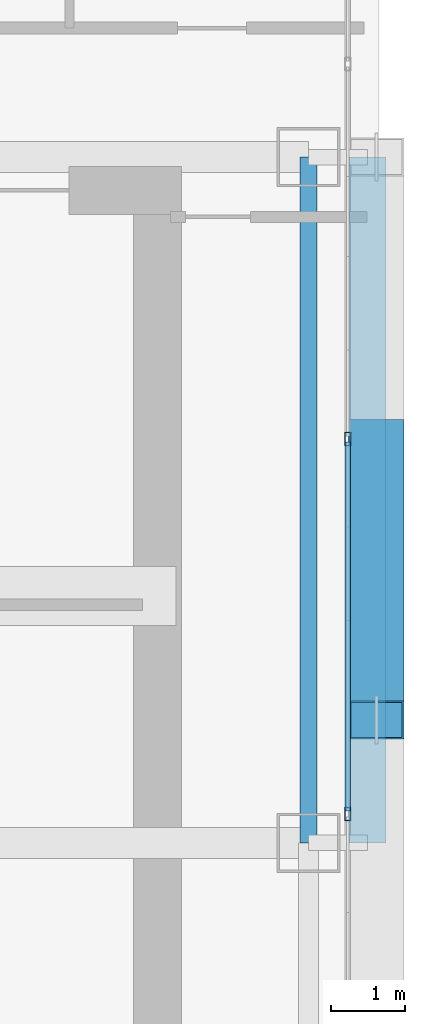
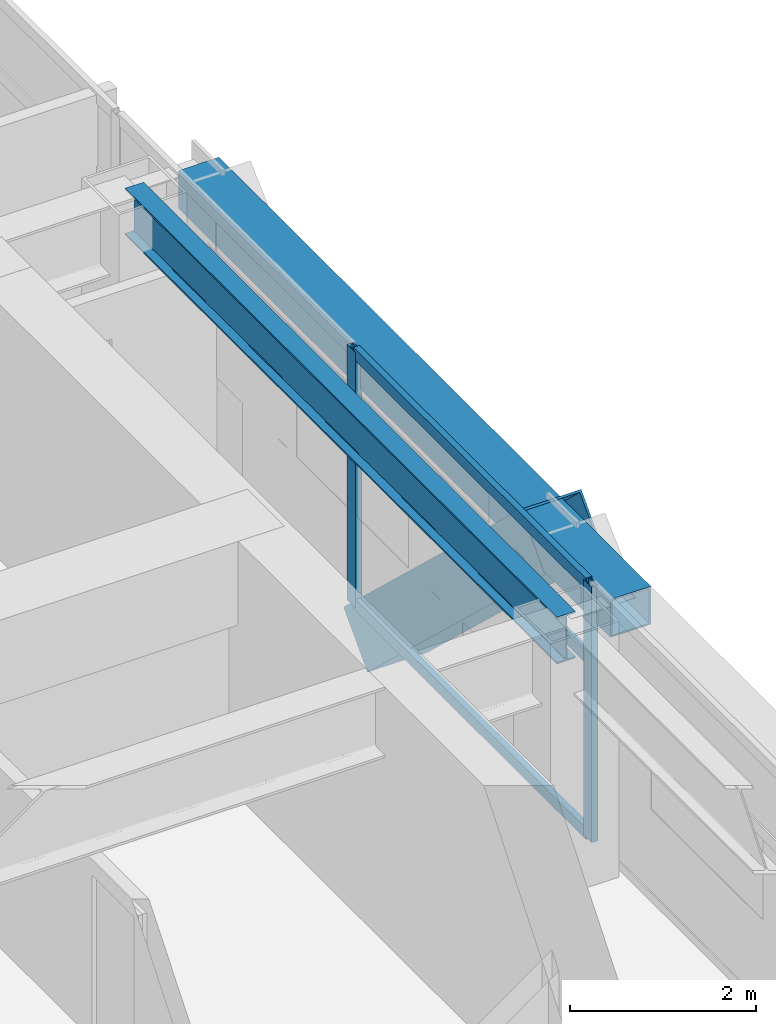
# One storey, part 15 of 35: 6 members, 2 beams, 1 element without a shape of its own.
"""IFC4 building model written with IfcOpenShell, lengths in metres."""

from ifc_helpers import new_model, si_unit, direction, frame, origin, origin_2d, place, context, subcontext, project, spatial, hollow_rectangle, i_section, extrude, source, transform, mapped, material, layer, layer_set, material_profile, profile_set, type_object, element, aggregate, save


model = new_model("IFC4")

# Units and contexts
model_context = context("Model", 3, precision=1e-05, world=origin(), true_north=direction((0.0, 1.0)))
body_context = subcontext(model_context, "Body", "Model", "MODEL_VIEW")
ifc_project = project(units=[si_unit("LENGTHUNIT", "METRE"), si_unit("AREAUNIT", "SQUARE_METRE"), si_unit("VOLUMEUNIT", "CUBIC_METRE"), si_unit("PLANEANGLEUNIT", "RADIAN"), si_unit("MASSUNIT", "GRAM", prefix="KILO")], contexts=[model_context])

# Site, building, storey
site_placement = place(None, origin())
site = spatial("IfcSite", under=ifc_project, at=site_placement, CompositionType="ELEMENT")
building_placement = place(site_placement, origin())
building = spatial("IfcBuilding", under=site, at=building_placement, Name="Ocotamira Hotel", CompositionType="ELEMENT")
storey_placement = place(building_placement, frame((0.0, 0.0, 144.0)))
storey = spatial("IfcBuildingStorey", under=building, at=storey_placement, Name="L36", CompositionType="ELEMENT", Elevation=144.0)

# Beams
ifc_material_1 = material(Name="Steel ASTM A992 Grade 50", Category="steel")
ifc_material_profile_1 = material_profile(ifc_material_1, i_section(OverallWidth=0.22998046875, OverallDepth=0.616943359375, WebThickness=0.01318359375, FlangeThickness=0.022216796875, FilletRadius=0.012939453125, at=origin_2d()), Name="W24X94")
ifc_profile_set_1 = profile_set([ifc_material_profile_1], Name="Steel ASTM A992 Grade 50")
beam_type_1 = type_object("IfcBeamType", Name="BM-PRIM-W24X94", PredefinedType="BEAM", material=ifc_profile_set_1)
shared_shape_1 = source(origin(), body_context, "Body", "SweptSolid", [
    extrude(i_section(OverallWidth=0.22998046875, OverallDepth=0.616943359375, WebThickness=0.01318359375, FlangeThickness=0.022216796875, FilletRadius=0.012939453125, at=origin_2d()), origin(), (0.0, 0.0, 1.0), 9.300048828125),
])
beam_1_placement = place(storey_placement, frame((55.050048828125, 28.14990234375, 3.051513671875), z_axis=(0.0, 1.0, 0.0), x_axis=(-1.0, 0.0, 0.0)))
element("IfcBeam", 1, at=beam_1_placement, inside=storey, type_object=beam_type_1, Name="L36 Beam X55.05 Y28.15-37.45", PredefinedType="BEAM", context=body_context, shape_type="MappedRepresentation", body=[
    mapped(shared_shape_1, transform((0.0, 0.0, 0.0), scale=1.0)),
])
ifc_material_2 = material(Name="Steel ASTM A500 Grade C", Category="steel")
ifc_material_profile_2 = material_profile(ifc_material_2, hollow_rectangle(XDim=0.5, YDim=0.5, WallThickness=0.02001953125, at=origin_2d()), Name="HSS500X500X20")
ifc_profile_set_2 = profile_set([ifc_material_profile_2], Name="Steel ASTM A500 Grade C")
beam_type_2 = type_object("IfcBeamType", Name="BM-SPAN-HSS500", PredefinedType="USERDEFINED", material=ifc_profile_set_2)
shared_shape_2 = source(origin(), body_context, "Body", "SweptSolid", [
    extrude(hollow_rectangle(XDim=0.5, YDim=0.5, WallThickness=0.02001953125, at=origin_2d()), origin(), (0.0, 0.0, 1.0), 9.300048828125),
])
beam_2_placement = place(storey_placement, frame((55.85009765625, 28.14990234375, 3.110107421875), z_axis=(0.0, 1.0, 0.0), x_axis=(-1.0, 0.0, 0.0)))
element("IfcBeam", 2, at=beam_2_placement, inside=storey, type_object=beam_type_2, Name="L36 Edge Spandrel E Y28.15-37.45", ObjectType="SPANDREL", PredefinedType="USERDEFINED", context=body_context, shape_type="MappedRepresentation", body=[
    mapped(shared_shape_2, transform((0.0, 0.0, 0.0), scale=1.0)),
])

# Member
ifc_material_3 = material(Name="Pale-metal coated steel ASTM A913 Grade 65", Category="steel")
ifc_material_profile_3 = material_profile(ifc_material_3, hollow_rectangle(XDim=0.75, YDim=0.75, WallThickness=0.028076171875, at=origin_2d()), Name="BOX750X750X28")
ifc_profile_set_3 = profile_set([ifc_material_profile_3], Name="Pale-metal coated steel ASTM A913 Grade 65")
member_type_1 = type_object("IfcMemberType", Name="MEM-EXO-BOX750", PredefinedType="BRACE", material=ifc_profile_set_3)
shared_shape_3 = source(origin(), body_context, "Body", "SweptSolid", [
    extrude(hollow_rectangle(XDim=0.75, YDim=0.75, WallThickness=0.028076171875, at=origin_2d()), origin(), (0.0, 0.0, 1.0), 5.24658203125),
])
member_1_placement = place(storey_placement, frame((55.969970703125, 33.63330078125, -0.489990234375), z_axis=(0.0, -0.727442733726, 0.686168397078), x_axis=(1.0, 0.0, 0.0)))
element("IfcMember", 3, at=member_1_placement, inside=storey, type_object=member_type_1, Name="L36 Exoskeleton Diagrid E2.1", PredefinedType="BRACE", context=body_context, shape_type="MappedRepresentation", body=[
    mapped(shared_shape_3, transform((0.0, 0.0, 0.0), scale=1.0)),
])

# Curtain wall, members
ifc_material_4 = material(Name="Anodised pale-metal aluminium and solar glass", Category="aluminium")
ifc_layer = layer(ifc_material_4, 0.179931640625)
ifc_layer_set = layer_set([ifc_layer], Name="Anodised pale-metal aluminium and solar glass")
curtain_wall_type = type_object("IfcCurtainWallType", Name="CW-SYS3-Z2", PredefinedType="NOTDEFINED", material=ifc_layer_set)
curtain_wall_placement = place(storey_placement, origin())
curtain_wall = element("IfcCurtainWall", 4, at=curtain_wall_placement, inside=storey, type_object=curtain_wall_type, Name="L36 Curtain Wall CW-3 CW-L36-E", PredefinedType="NOTDEFINED")
ifc_material_5 = material(Name="Anodised pale-metal aluminium 6063-T6", Category="aluminium")
ifc_material_profile_4 = material_profile(ifc_material_5, hollow_rectangle(XDim=0.074951171875, YDim=0.14990234375, WallThickness=0.006103515625, at=origin_2d()), Name="HSS150X75X6")
ifc_profile_set_4 = profile_set([ifc_material_profile_4], Name="Anodised pale-metal aluminium 6063-T6")
member_type_2 = type_object("IfcMemberType", Name="CWT-150X75", PredefinedType="USERDEFINED", material=ifc_profile_set_4)
shared_shape_4 = source(origin(), body_context, "Body", "SweptSolid", [
    extrude(hollow_rectangle(XDim=0.074951171875, YDim=0.14990234375, WallThickness=0.006103515625, at=origin_2d()), origin(), (0.0, 0.0, 1.0), 5.005859375),
])
member_2_placement = place(storey_placement, frame((55.580078125, 28.582763671875, 0.03759765625), z_axis=(0.0, 1.0, 0.0), x_axis=(-1.0, 0.0, 0.0)))
member_2 = element("IfcMember", 5, at=member_2_placement, type_object=member_type_2, Name="CW-3 transom 5.1", ObjectType="TRANSOM", PredefinedType="USERDEFINED", context=body_context, shape_type="MappedRepresentation", body=[
    mapped(shared_shape_4, transform((0.0, 0.0, 0.0), scale=1.0)),
])
member_3_placement = place(storey_placement, frame((55.580078125, 28.582763671875, 2.35009765625), z_axis=(0.0, 1.0, 0.0), x_axis=(-1.0, 0.0, 0.0)))
member_3 = element("IfcMember", 6, at=member_3_placement, type_object=member_type_2, Name="CW-3 transom 5.2", ObjectType="TRANSOM", PredefinedType="USERDEFINED", context=body_context, shape_type="MappedRepresentation", body=[
    mapped(shared_shape_4, transform((0.0, 0.0, 0.0), scale=1.0)),
])
member_4_placement = place(storey_placement, frame((55.580078125, 28.582763671875, 3.322509765625), z_axis=(0.0, 1.0, 0.0), x_axis=(-1.0, 0.0, 0.0)))
member_4 = element("IfcMember", 7, at=member_4_placement, type_object=member_type_2, Name="CW-3 transom 5.3", ObjectType="TRANSOM", PredefinedType="USERDEFINED", context=body_context, shape_type="MappedRepresentation", body=[
    mapped(shared_shape_4, transform((0.0, 0.0, 0.0), scale=1.0)),
])
ifc_material_profile_5 = material_profile(ifc_material_5, hollow_rectangle(XDim=0.080078125, YDim=0.179931640625, WallThickness=0.006103515625, at=origin_2d()), Name="HSS180X80X6")
ifc_profile_set_5 = profile_set([ifc_material_profile_5], Name="Anodised pale-metal aluminium 6063-T6")
member_type_3 = type_object("IfcMemberType", Name="CWM-180X75", PredefinedType="MULLION", material=ifc_profile_set_5)
shared_shape_5 = source(origin(), body_context, "Body", "SweptSolid", [
    extrude(hollow_rectangle(XDim=0.080078125, YDim=0.179931640625, WallThickness=0.006103515625, at=origin_2d()), origin(), (0.0, 0.0, 1.0), 3.360107421875),
])
member_5_placement = place(storey_placement, frame((55.580078125, 28.54296875, 0.0), z_axis=(0.0, 0.0, 1.0), x_axis=(-1.0, 0.0, 0.0)))
member_5 = element("IfcMember", 8, at=member_5_placement, type_object=member_type_3, Name="CW-3 mullion 5", PredefinedType="MULLION", context=body_context, shape_type="MappedRepresentation", body=[
    mapped(shared_shape_5, transform((0.0, 0.0, 0.0), scale=1.0)),
])
member_6_placement = place(storey_placement, frame((55.580078125, 33.628662109375, 0.0), z_axis=(0.0, 0.0, 1.0), x_axis=(-1.0, 0.0, 0.0)))
member_6 = element("IfcMember", 9, at=member_6_placement, type_object=member_type_3, Name="CW-3 mullion 6", PredefinedType="MULLION", context=body_context, shape_type="MappedRepresentation", body=[
    mapped(shared_shape_5, transform((0.0, 0.0, 0.0), scale=1.0)),
])
aggregate(curtain_wall, [member_5, member_6, member_2, member_3, member_4])

save(model, "model.ifc")
